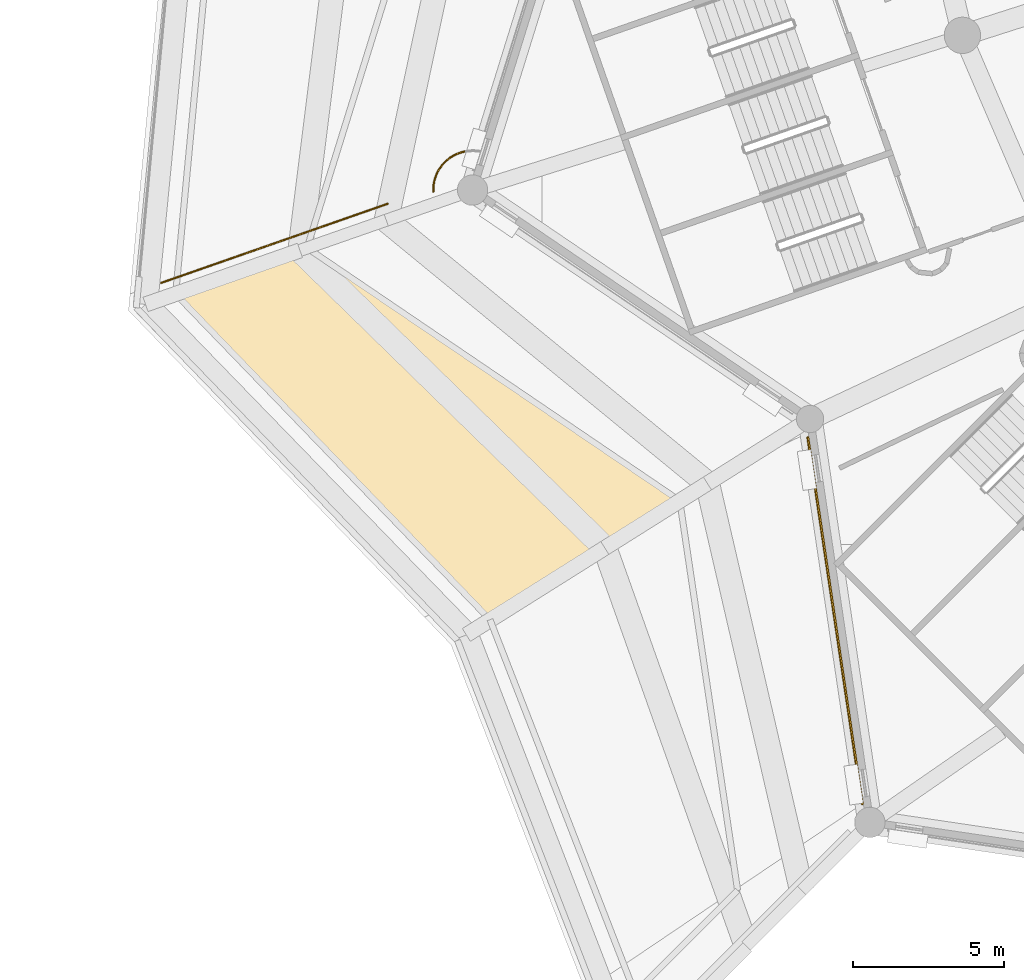
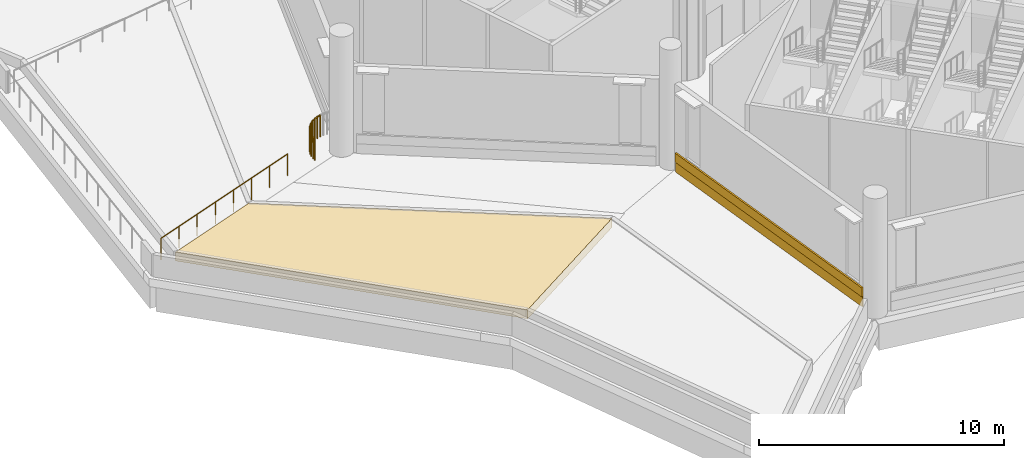
# One storey, part 110 of 173: 12 railings, 3 coverings.
"""IFC4 building model written with IfcOpenShell, lengths in metres."""

from ifc_helpers import new_model, si_unit, direction, frame, origin, origin_2d, place, context, subcontext, project, spatial, polyline, rectangle, circle, outline, extrude, material, layer, layer_set, type_object, element, save


model = new_model("IFC4")

# Units and contexts
model_context = context("Model", 3, precision=1e-05, world=origin(), true_north=direction((0.0, 1.0)))
body_context = subcontext(model_context, "Body", "Model", "MODEL_VIEW")
ifc_project = project(units=[si_unit("LENGTHUNIT", "METRE"), si_unit("AREAUNIT", "SQUARE_METRE"), si_unit("VOLUMEUNIT", "CUBIC_METRE"), si_unit("PLANEANGLEUNIT", "RADIAN"), si_unit("MASSUNIT", "GRAM", prefix="KILO")], contexts=[model_context])

# Site, building, storey
site_placement = place(None, origin())
site = spatial("IfcSite", under=ifc_project, at=site_placement, CompositionType="ELEMENT")
building_placement = place(site_placement, origin())
building = spatial("IfcBuilding", under=site, at=building_placement, Name="Meseta Stadium", CompositionType="ELEMENT")
storey_placement = place(building_placement, frame((0.0, 0.0, 18.0)))
storey = spatial("IfcBuildingStorey", under=building, at=storey_placement, Name="L03", CompositionType="ELEMENT", Elevation=18.0)

# Coverings
ifc_material_1 = material(Name="Guadarrama granite cladding", Category="masonry")
ifc_layer_1 = layer(ifc_material_1, 0.06005859375)
ifc_layer_set_1 = layer_set([ifc_layer_1], Name="Granite plinth cladding 60")
covering_type_1 = type_object("IfcCoveringType", Name="Granite plinth cladding 60", PredefinedType="CLADDING", material=ifc_layer_set_1)
covering_1_placement = place(storey_placement, frame((-86.319091796875, -82.51318359375, 0.0), z_axis=(0.0, 0.0, 1.0), x_axis=(-0.146853050476, 0.989158319768, 0.0)))
element("IfcCovering", 1, at=covering_1_placement, inside=storey, type_object=covering_type_1, Name="Granite plinth L03 F39", PredefinedType="CLADDING", context=body_context, shape_type="SweptSolid", body=[
    extrude(rectangle(XDim=12.274169921875, YDim=0.06005859375, at=origin_2d()), origin(), (0.0, 0.0, 1.0), 0.5),
])
ifc_material_2 = material(Name="Planting soil")
ifc_layer_2 = layer(ifc_material_2, 0.449951171875)
ifc_layer_set_2 = layer_set([ifc_layer_2], Name="Planting soil 450")
covering_type_2 = type_object("IfcCoveringType", Name="Planting soil 450", PredefinedType="FLOORING", material=ifc_layer_set_2)
covering_2_placement = place(storey_placement, origin())
element("IfcCovering", 2, at=covering_2_placement, inside=storey, type_object=covering_type_2, Name="Roof garden planting bed 5.1 panel 05", PredefinedType="FLOORING", context=body_context, shape_type="SweptSolid", body=[
    extrude(outline(polyline([(-103.7548828125, -70.20947265625), (-108.0947265625, -71.727783203125), (-97.7158203125, -82.48095703125), (-97.711181640625, -82.492431640625), (-91.45068359375, -78.55859375), (-103.7548828125, -70.20947265625)])), origin(), (0.0, 0.0, 1.0), 0.449951171875),
])

# Railings
ifc_material_3 = material(Name="Steel S355", Category="steel")
railing_type = type_object("IfcRailingType", Name="Roof garden guard 1100", PredefinedType="GUARDRAIL", material=ifc_material_3)
railing_1_placement = place(storey_placement, frame((-101.09033203125, -68.747314453125, 0.0)))
element("IfcRailing", 3, at=railing_1_placement, inside=storey, type_object=railing_type, Name="Roof garden end guard 3", PredefinedType="GUARDRAIL", context=body_context, shape_type="SweptSolid", body=[
    extrude(circle(Radius=0.02490234375, at=origin_2d()), frame((0.0, 0.0, 1.0751953125), z_axis=(-0.94388428612, -0.330276330389, 0.0), x_axis=(0.330276330389, -0.94388428612, 0.0)), (0.0, 0.0, 1.0), 7.92578125),
    extrude(circle(Radius=0.02001953125, at=origin_2d()), origin(), (0.0, 0.0, 1.0), 1.050048828125),
    extrude(circle(Radius=0.02001953125, at=origin_2d()), frame((-1.068603515625, -0.3740234375, 0.0)), (0.0, 0.0, 1.0), 1.050048828125),
    extrude(circle(Radius=0.02001953125, at=origin_2d()), frame((-2.137451171875, -0.747802734375, 0.0)), (0.0, 0.0, 1.0), 1.050048828125),
    extrude(circle(Radius=0.02001953125, at=origin_2d()), frame((-3.2060546875, -1.121826171875, 0.0)), (0.0, 0.0, 1.0), 1.050048828125),
    extrude(circle(Radius=0.02001953125, at=origin_2d()), frame((-4.27490234375, -1.495849609375, 0.0)), (0.0, 0.0, 1.0), 1.050048828125),
    extrude(circle(Radius=0.02001953125, at=origin_2d()), frame((-5.343505859375, -1.869873046875, 0.0)), (0.0, 0.0, 1.0), 1.050048828125),
    extrude(circle(Radius=0.02001953125, at=origin_2d()), frame((-6.412353515625, -2.24365234375, 0.0)), (0.0, 0.0, 1.0), 1.050048828125),
    extrude(circle(Radius=0.02001953125, at=origin_2d()), frame((-7.48095703125, -2.61767578125, 0.0)), (0.0, 0.0, 1.0), 1.050048828125),
])
railing_2_placement = place(storey_placement, frame((-98.5625, -67.026123046875, 0.0)))
element("IfcRailing", 4, at=railing_2_placement, inside=storey, type_object=railing_type, Name="Roof garden pit guard 39.5.4", PredefinedType="GUARDRAIL", context=body_context, shape_type="SweptSolid", body=[
    extrude(circle(Radius=0.02490234375, at=origin_2d()), frame((0.0, 0.0, 1.0751953125), z_axis=(-0.962227407632, -0.272246976111, 0.0), x_axis=(0.272246976111, -0.962227407632, 0.0)), (0.0, 0.0, 1.0), 0.16943359375),
    extrude(circle(Radius=0.02001953125, at=origin_2d()), origin(), (0.0, 0.0, 1.0), 1.050048828125),
    extrude(circle(Radius=0.02001953125, at=origin_2d()), frame((-0.1630859375, -0.046142578125, 0.0)), (0.0, 0.0, 1.0), 1.050048828125),
])
railing_3_placement = place(storey_placement, frame((-98.7255859375, -67.072265625, 0.0)))
element("IfcRailing", 5, at=railing_3_placement, inside=storey, type_object=railing_type, Name="Roof garden pit guard 39.5.5", PredefinedType="GUARDRAIL", context=body_context, shape_type="SweptSolid", body=[
    extrude(circle(Radius=0.02490234375, at=origin_2d()), frame((0.0, 0.0, 1.0751953125), z_axis=(-0.918846794905, -0.394614454238, 0.0), x_axis=(0.394614454238, -0.918846794905, 0.0)), (0.0, 0.0, 1.0), 0.16943359375),
    extrude(circle(Radius=0.02001953125, at=origin_2d()), origin(), (0.0, 0.0, 1.0), 1.050048828125),
    extrude(circle(Radius=0.02001953125, at=origin_2d()), frame((-0.15576171875, -0.06689453125, 0.0)), (0.0, 0.0, 1.0), 1.050048828125),
])
railing_4_placement = place(storey_placement, frame((-98.88134765625, -67.13916015625, 0.0)))
element("IfcRailing", 6, at=railing_4_placement, inside=storey, type_object=railing_type, Name="Roof garden pit guard 39.5.6", PredefinedType="GUARDRAIL", context=body_context, shape_type="SweptSolid", body=[
    extrude(circle(Radius=0.02490234375, at=origin_2d()), frame((0.0, 0.0, 1.0751953125), z_axis=(-0.859518794146, -0.511104140572, 0.0), x_axis=(0.511104140572, -0.859518794146, 0.0)), (0.0, 0.0, 1.0), 0.169677734375),
    extrude(circle(Radius=0.02001953125, at=origin_2d()), origin(), (0.0, 0.0, 1.0), 1.050048828125),
    extrude(circle(Radius=0.02001953125, at=origin_2d()), frame((-0.145751953125, -0.086669921875, 0.0)), (0.0, 0.0, 1.0), 1.050048828125),
])
railing_5_placement = place(storey_placement, frame((-99.027099609375, -67.225830078125, 0.0)))
element("IfcRailing", 7, at=railing_5_placement, inside=storey, type_object=railing_type, Name="Roof garden pit guard 39.5.7", PredefinedType="GUARDRAIL", context=body_context, shape_type="SweptSolid", body=[
    extrude(circle(Radius=0.02490234375, at=origin_2d()), frame((0.0, 0.0, 1.0751953125), z_axis=(-0.785618829877, -0.618710800086, 0.0), x_axis=(0.618710800086, -0.785618829877, 0.0)), (0.0, 0.0, 1.0), 0.169677734375),
    extrude(circle(Radius=0.02001953125, at=origin_2d()), origin(), (0.0, 0.0, 1.0), 1.050048828125),
    extrude(circle(Radius=0.02001953125, at=origin_2d()), frame((-0.13330078125, -0.10498046875, 0.0)), (0.0, 0.0, 1.0), 1.050048828125),
])
railing_6_placement = place(storey_placement, frame((-99.160400390625, -67.330810546875, 0.0)))
element("IfcRailing", 8, at=railing_6_placement, inside=storey, type_object=railing_type, Name="Roof garden pit guard 39.5.8", PredefinedType="GUARDRAIL", context=body_context, shape_type="SweptSolid", body=[
    extrude(circle(Radius=0.02490234375, at=origin_2d()), frame((0.0, 0.0, 1.0751953125), z_axis=(-0.698413820908, -0.715694162869, 0.0), x_axis=(0.715694162869, -0.698413820908, 0.0)), (0.0, 0.0, 1.0), 0.16943359375),
    extrude(circle(Radius=0.02001953125, at=origin_2d()), origin(), (0.0, 0.0, 1.0), 1.050048828125),
    extrude(circle(Radius=0.02001953125, at=origin_2d()), frame((-0.118408203125, -0.121337890625, 0.0)), (0.0, 0.0, 1.0), 1.050048828125),
])
railing_7_placement = place(storey_placement, frame((-99.27880859375, -67.4521484375, 0.0)))
element("IfcRailing", 9, at=railing_7_placement, inside=storey, type_object=railing_type, Name="Roof garden pit guard 39.5.9", PredefinedType="GUARDRAIL", context=body_context, shape_type="SweptSolid", body=[
    extrude(circle(Radius=0.02490234375, at=origin_2d()), frame((0.0, 0.0, 1.0751953125), z_axis=(-0.6, -0.8, 0.0), x_axis=(0.8, -0.6, 0.0)), (0.0, 0.0, 1.0), 0.169677734375),
    extrude(circle(Radius=0.02001953125, at=origin_2d()), origin(), (0.0, 0.0, 1.0), 1.050048828125),
    extrude(circle(Radius=0.02001953125, at=origin_2d()), frame((-0.101806640625, -0.1357421875, 0.0)), (0.0, 0.0, 1.0), 1.050048828125),
])
railing_8_placement = place(storey_placement, frame((-99.380615234375, -67.587890625, 0.0)))
element("IfcRailing", 10, at=railing_8_placement, inside=storey, type_object=railing_type, Name="Roof garden pit guard 39.5.10", PredefinedType="GUARDRAIL", context=body_context, shape_type="SweptSolid", body=[
    extrude(circle(Radius=0.02490234375, at=origin_2d()), frame((0.0, 0.0, 1.0751953125), z_axis=(-0.489304370969, -0.872113084726, 0.0), x_axis=(0.872113084726, -0.489304370969, 0.0)), (0.0, 0.0, 1.0), 0.169677734375),
    extrude(circle(Radius=0.02001953125, at=origin_2d()), origin(), (0.0, 0.0, 1.0), 1.050048828125),
    extrude(circle(Radius=0.02001953125, at=origin_2d()), frame((-0.0830078125, -0.14794921875, 0.0)), (0.0, 0.0, 1.0), 1.050048828125),
])
railing_9_placement = place(storey_placement, frame((-99.463623046875, -67.73583984375, 0.0)))
element("IfcRailing", 11, at=railing_9_placement, inside=storey, type_object=railing_type, Name="Roof garden pit guard 39.5.11", PredefinedType="GUARDRAIL", context=body_context, shape_type="SweptSolid", body=[
    extrude(circle(Radius=0.02490234375, at=origin_2d()), frame((0.0, 0.0, 1.0751953125), z_axis=(-0.371390676354, -0.928476690885, 0.0), x_axis=(0.928476690885, -0.371390676354, 0.0)), (0.0, 0.0, 1.0), 0.169677734375),
    extrude(circle(Radius=0.02001953125, at=origin_2d()), origin(), (0.0, 0.0, 1.0), 1.050048828125),
    extrude(circle(Radius=0.02001953125, at=origin_2d()), frame((-0.06298828125, -0.157470703125, 0.0)), (0.0, 0.0, 1.0), 1.050048828125),
])
railing_10_placement = place(storey_placement, frame((-99.526611328125, -67.893310546875, 0.0)))
element("IfcRailing", 12, at=railing_10_placement, inside=storey, type_object=railing_type, Name="Roof garden pit guard 39.5.12", PredefinedType="GUARDRAIL", context=body_context, shape_type="SweptSolid", body=[
    extrude(circle(Radius=0.02490234375, at=origin_2d()), frame((0.0, 0.0, 1.0751953125), z_axis=(-0.248963905146, -0.96851276395, 0.0), x_axis=(0.96851276395, -0.248963905146, 0.0)), (0.0, 0.0, 1.0), 0.169677734375),
    extrude(circle(Radius=0.02001953125, at=origin_2d()), origin(), (0.0, 0.0, 1.0), 1.050048828125),
    extrude(circle(Radius=0.02001953125, at=origin_2d()), frame((-0.042236328125, -0.164306640625, 0.0)), (0.0, 0.0, 1.0), 1.050048828125),
])
railing_11_placement = place(storey_placement, frame((-99.56884765625, -68.0576171875, 0.0)))
element("IfcRailing", 13, at=railing_11_placement, inside=storey, type_object=railing_type, Name="Roof garden pit guard 39.5.13", PredefinedType="GUARDRAIL", context=body_context, shape_type="SweptSolid", body=[
    extrude(circle(Radius=0.02490234375, at=origin_2d()), frame((0.0, 0.0, 1.0751953125), z_axis=(-0.119599769988, -0.99282218701, 0.0), x_axis=(0.99282218701, -0.119599769988, 0.0)), (0.0, 0.0, 1.0), 0.16943359375),
    extrude(circle(Radius=0.02001953125, at=origin_2d()), origin(), (0.0, 0.0, 1.0), 1.050048828125),
    extrude(circle(Radius=0.02001953125, at=origin_2d()), frame((-0.020263671875, -0.168212890625, 0.0)), (0.0, 0.0, 1.0), 1.050048828125),
])
railing_12_placement = place(storey_placement, frame((-99.589111328125, -68.225830078125, 0.0)))
element("IfcRailing", 14, at=railing_12_placement, inside=storey, type_object=railing_type, Name="Roof garden pit guard 39.5.14", PredefinedType="GUARDRAIL", context=body_context, shape_type="SweptSolid", body=[
    extrude(circle(Radius=0.02490234375, at=origin_2d()), frame((0.0, 0.0, 1.0751953125), z_axis=(0.009157125207, -0.99995807265, 0.0), x_axis=(0.99995807265, 0.009157125207, 0.0)), (0.0, 0.0, 1.0), 0.13330078125),
    extrude(circle(Radius=0.02001953125, at=origin_2d()), origin(), (0.0, 0.0, 1.0), 1.050048828125),
    extrude(circle(Radius=0.02001953125, at=origin_2d()), frame((0.001220703125, -0.13330078125, 0.0)), (0.0, 0.0, 1.0), 1.050048828125),
])

# Covering
ifc_material_4 = material(Name="Precast concrete C40/50, terracotta pigment", Category="masonry")
ifc_layer_3 = layer(ifc_material_4, 0.080078125)
ifc_layer_set_3 = layer_set([ifc_layer_3], Name="Precast concrete C40/50, terracotta pigment")
covering_type_3 = type_object("IfcCoveringType", Name="Terracotta precast band 80", PredefinedType="CLADDING", material=ifc_layer_set_3)
covering_3_placement = place(storey_placement, frame((-86.3291015625, -82.514892578125, 0.5), z_axis=(0.0, 0.0, 1.0), x_axis=(-0.146853050476, 0.989158319768, 0.0)))
element("IfcCovering", 15, at=covering_3_placement, inside=storey, type_object=covering_type_3, Name="Terracotta band L03 F39", PredefinedType="CLADDING", context=body_context, shape_type="SweptSolid", body=[
    extrude(rectangle(XDim=12.274169921875, YDim=0.080078125, at=origin_2d()), origin(), (0.0, 0.0, 1.0), 0.449951171875),
])

save(model, "model.ifc")
